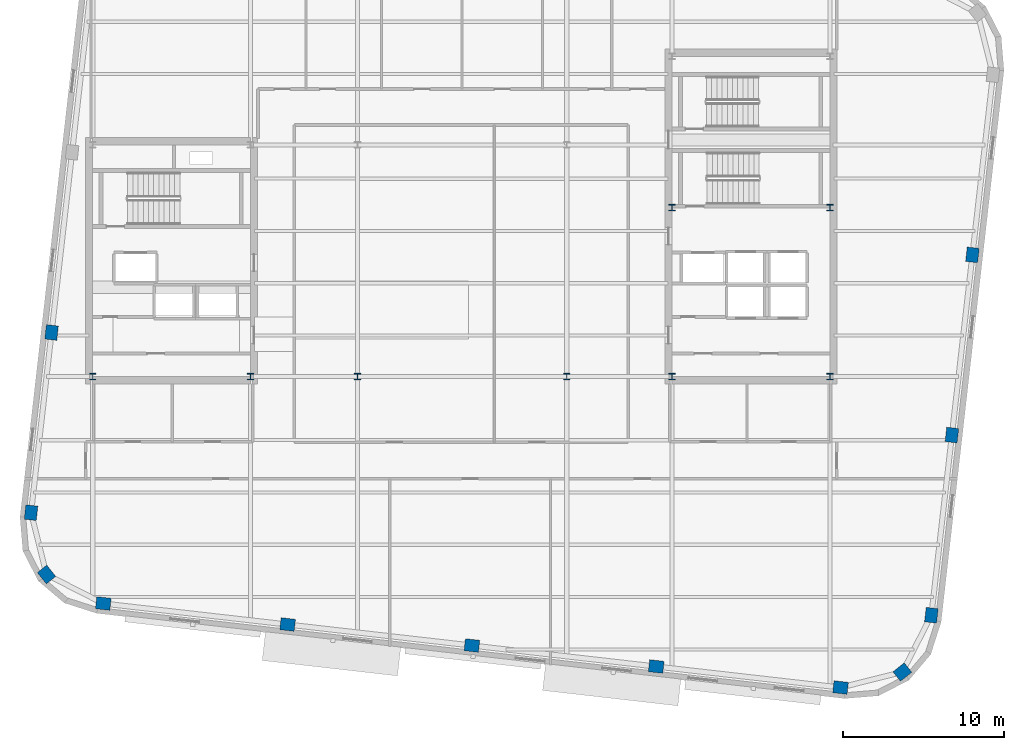
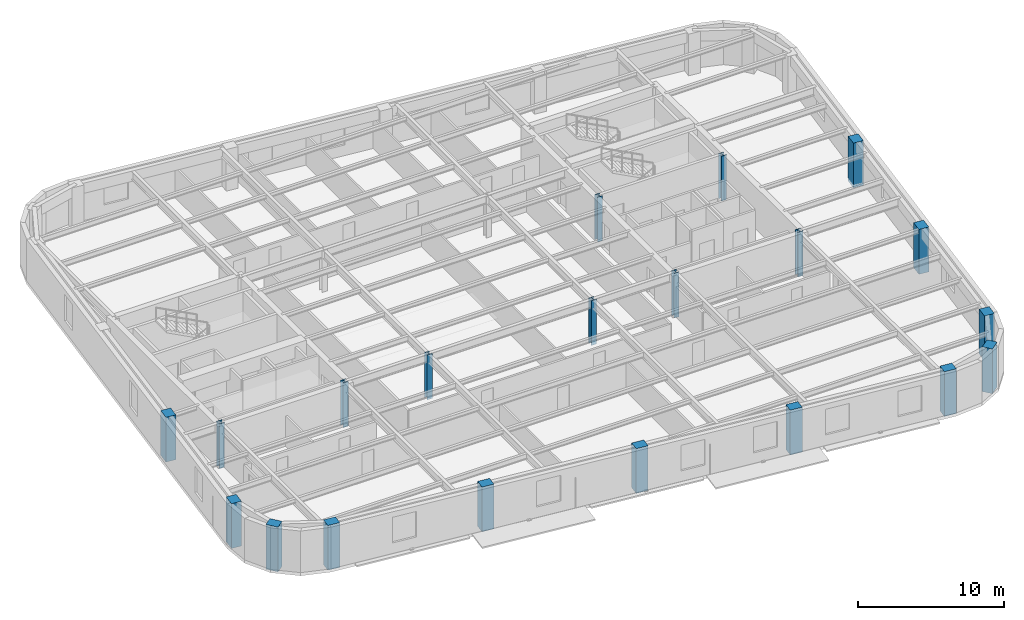
# One storey, part 1 of 13: 20 columns.
"""IFC4 building model written with IfcOpenShell, lengths in metres."""

from ifc_helpers import new_model, si_unit, direction, frame, origin, origin_2d, place, context, subcontext, project, spatial, rectangle, i_section, extrude, material, material_profile, profile_set, type_object, element, save


model = new_model("IFC4")

# Units and contexts
model_context = context("Model", 3, precision=1e-05, world=origin(), true_north=direction((0.0, 1.0)))
body_context = subcontext(model_context, "Body", "Model", "MODEL_VIEW")
ifc_project = project(units=[si_unit("LENGTHUNIT", "METRE"), si_unit("AREAUNIT", "SQUARE_METRE"), si_unit("VOLUMEUNIT", "CUBIC_METRE"), si_unit("PLANEANGLEUNIT", "RADIAN"), si_unit("MASSUNIT", "GRAM", prefix="KILO")], contexts=[model_context])

# Site, building, storey
site_placement = place(None, origin())
site = spatial("IfcSite", under=ifc_project, at=site_placement, CompositionType="ELEMENT")
building_placement = place(site_placement, origin())
building = spatial("IfcBuilding", under=site, at=building_placement, Name="Kolvaren Arena Tower", CompositionType="ELEMENT")
storey_placement = place(building_placement, frame((0.0, 0.0, 239.699951171875)))
storey = spatial("IfcBuildingStorey", under=building, at=storey_placement, Name="L58", CompositionType="ELEMENT", Elevation=239.699951171875)

# Columns
ifc_material_1 = material(Name="Precast concrete C55/67", Category="concrete")
ifc_material_profile_1 = material_profile(ifc_material_1, rectangle(XDim=0.89990234375, YDim=0.75, at=origin_2d()), Name="RC-900x750")
ifc_profile_set_1 = profile_set([ifc_material_profile_1], Name="Precast concrete C55/67")
column_type_1 = type_object("IfcColumnType", Name="EXCOL-Z4", PredefinedType="COLUMN", material=ifc_profile_set_1)
for number, where, z_axis, x_axis, name in (
    (1, (15.207763671875, 5.350830078125, -0.27001953125), (0.0, 0.0, 1.0), (0.993571855677, -0.113203213768, 0.0), "Exoskeleton Perimeter Column 01 (L58)"),
    (2, (26.65869140625, 4.046142578125, -0.27001953125), (0.0, 0.0, 1.0), (0.993571855677, -0.113203213768, 0.0), "Exoskeleton Perimeter Column 02 (L58)"),
    (3, (38.109619140625, 2.741455078125, -0.27001953125), (0.0, 0.0, 1.0), (0.993571855677, -0.113203213768, 0.0), "Exoskeleton Perimeter Column 03 (L58)"),
    (4, (49.560302734375, 1.436767578125, -0.27001953125), (0.0, 0.0, 1.0), (0.993571855677, -0.113203213768, 0.0), "Exoskeleton Perimeter Column 04 (L58)"),
    (5, (61.011474609375, 0.132080078125, -0.27001953125), (0.0, 0.0, 1.0), (0.993571855677, -0.113203213768, 0.0), "Exoskeleton Perimeter Column 05 (L58)"),
    (6, (64.853759765625, 1.094482421875, -0.27001953125), (0.0, 0.0, 1.0), (0.782608156852, 0.622514636638, 0.0), "Exoskeleton Perimeter Column 06 (L58)"),
    (7, (66.656005859375, 4.6220703125, -0.27001953125), (0.0, 0.0, 1.0), (0.113203213768, 0.993571855677, 0.0), "Exoskeleton Perimeter Column 07 (L58)"),
    (8, (67.931396484375, 15.816162109375, -0.27001953125), (0.0, 0.0, 1.0), (0.113203213768, 0.993571855677, 0.0), "Exoskeleton Perimeter Column 08 (L58)"),
    (9, (69.206787109375, 27.010498046875, -0.27001953125), (0.0, 0.0, 1.0), (0.113203213768, 0.993571855677, 0.0), "Exoskeleton Perimeter Column 09 (L58)"),
    (10, (11.9931640625, 22.189453125, -0.27001953125), (0.0, 0.0, 1.0), (0.113203213768, 0.993571855677, 0.0), "Exoskeleton Perimeter Column 20 (L58)"),
    (11, (10.7177734375, 10.995361328125, -0.27001953125), (0.0, 0.0, 1.0), (0.113203213768, 0.993571855677, 0.0), "Exoskeleton Perimeter Column 21 (L58)"),
    (12, (11.680419921875, 7.15283203125, -0.27001953125), (0.0, 0.0, 1.0), (-0.622514636638, 0.782608156852, 0.0), "Exoskeleton Perimeter Column 22 (L58)"),
):
    element("IfcColumn", number, at=place(storey_placement, frame(where, z_axis=z_axis, x_axis=x_axis)), inside=storey, type_object=column_type_1, Name=name, PredefinedType="COLUMN", context=body_context, shape_type="SweptSolid", body=[
        extrude(rectangle(XDim=0.89990234375, YDim=0.75, at=origin_2d()), origin(), (0.0, 0.0, 1.0), 3.75),
    ])
ifc_material_2 = material(Name="Steel ASTM A913 Grade 65", Category="steel")
ifc_material_profile_2 = material_profile(ifc_material_2, i_section(OverallWidth=0.39892578125, OverallDepth=0.39306640625, WebThickness=0.022705078125, FlangeThickness=0.03662109375, FilletRadius=0.02001953125, at=origin_2d()), Name="W360x287")
ifc_profile_set_2 = profile_set([ifc_material_profile_2], Name="Steel ASTM A913 Grade 65")
column_type_2 = type_object("IfcColumnType", Name="SCOL-Z4", PredefinedType="COLUMN", material=ifc_profile_set_2)
for number, where, z_axis, x_axis, name in (
    (13, (14.550048828125, 19.449951171875, -0.27001953125), (0.0, 0.0, 1.0), (1.0, 0.0, 0.0), "Core Boundary Column WC-SW (L58)"),
    (14, (24.35009765625, 19.449951171875, -0.27001953125), (0.0, 0.0, 1.0), (1.0, 0.0, 0.0), "Core Boundary Column WC-SE (L58)"),
    (15, (50.550048828125, 19.449951171875, -0.27001953125), (0.0, 0.0, 1.0), (1.0, 0.0, 0.0), "Core Boundary Column EC-SW (L58)"),
    (16, (60.35009765625, 19.449951171875, -0.27001953125), (0.0, 0.0, 1.0), (1.0, 0.0, 0.0), "Core Boundary Column EC-SE (L58)"),
    (17, (50.550048828125, 29.949951171875, -0.27001953125), (0.0, 0.0, 1.0), (1.0, 0.0, 0.0), "Core Boundary Column EC-MW (L58)"),
    (18, (60.35009765625, 29.949951171875, -0.27001953125), (0.0, 0.0, 1.0), (1.0, 0.0, 0.0), "Core Boundary Column EC-ME (L58)"),
    (19, (31.0, 19.449951171875, -0.27001953125), (0.0, 0.0, 1.0), (1.0, 0.0, 0.0), "Interior Gravity Column TC-SW (L58)"),
    (20, (44.0, 19.449951171875, -0.27001953125), (0.0, 0.0, 1.0), (1.0, 0.0, 0.0), "Interior Gravity Column TC-SE (L58)"),
):
    element("IfcColumn", number, at=place(storey_placement, frame(where, z_axis=z_axis, x_axis=x_axis)), inside=storey, type_object=column_type_2, Name=name, PredefinedType="COLUMN", context=body_context, shape_type="SweptSolid", body=[
        extrude(i_section(OverallWidth=0.39892578125, OverallDepth=0.39306640625, WebThickness=0.022705078125, FlangeThickness=0.03662109375, FilletRadius=0.02001953125, at=origin_2d()), origin(), (0.0, 0.0, 1.0), 3.75),
    ])

save(model, "model.ifc")
